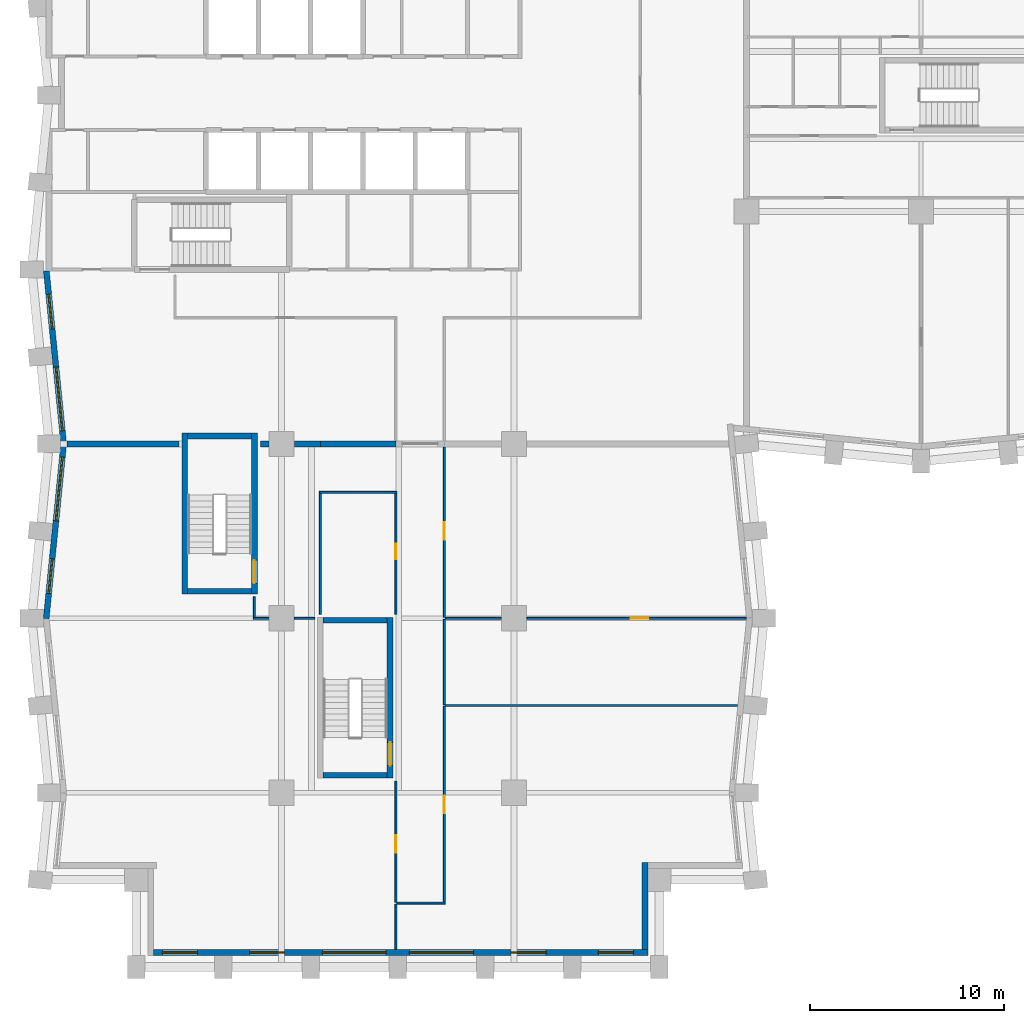
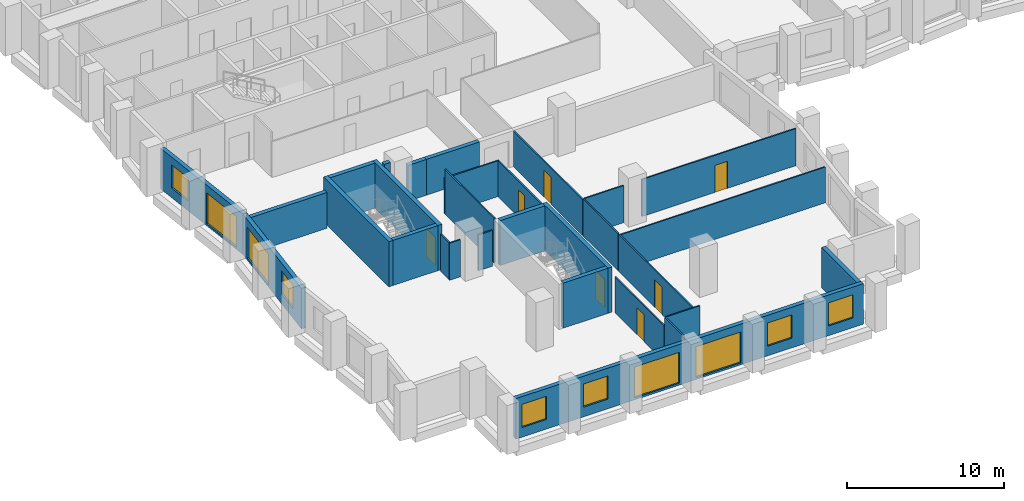
# One storey, part 3 of 11: 30 walls, 10 windows, 7 doors, 17 openings.
"""IFC4 building model written with IfcOpenShell, lengths in metres."""

from ifc_helpers import new_model, si_unit, direction, frame, frame_2d, origin, place, context, subcontext, project, spatial, rectangle, extrude, material, layer, layer_set, type_object, element, fill, save


model = new_model("IFC4")

# Units and contexts
model_context = context("Model", 3, precision=1e-05, world=origin(), true_north=direction((0.0, 1.0)))
body_context = subcontext(model_context, "Body", "Model", "MODEL_VIEW")
ifc_project = project(units=[si_unit("LENGTHUNIT", "METRE"), si_unit("AREAUNIT", "SQUARE_METRE"), si_unit("VOLUMEUNIT", "CUBIC_METRE"), si_unit("PLANEANGLEUNIT", "RADIAN"), si_unit("MASSUNIT", "GRAM", prefix="KILO")], contexts=[model_context])

# Site, building, storey
site_placement = place(None, origin())
site = spatial("IfcSite", under=ifc_project, at=site_placement, CompositionType="ELEMENT")
building_placement = place(site_placement, origin())
building = spatial("IfcBuilding", under=site, at=building_placement, Name="Brondeck Convention Tower", CompositionType="ELEMENT")
storey_placement = place(building_placement, frame((0.0, 0.0, 96.10009765625)))
storey = spatial("IfcBuildingStorey", under=building, at=storey_placement, Name="L22", CompositionType="ELEMENT", Elevation=96.10009765625)

# Walls
ifc_material_1 = material(Name="Concrete compartment wall C30/37", Category="concrete")
ifc_layer_1 = layer(ifc_material_1, 0.300048828125)
ifc_layer_set_1 = layer_set([ifc_layer_1], Name="Compartment wall 300")
wall_type_1 = type_object("IfcWallType", Name="Compartment wall 300", PredefinedType="PARTITIONING", material=ifc_layer_set_1)
wall_1_placement = place(storey_placement, frame((0.924560546875, 27.0, 0.0), z_axis=(0.0, 0.0, 1.0), x_axis=(1.0, 0.0, 0.0)))
element("IfcWall", 1, at=wall_1_placement, inside=storey, type_object=wall_type_1, Name="FLR-L22-W016", PredefinedType="PARTITIONING", context=body_context, shape_type="SweptSolid", body=[
    extrude(rectangle(XDim=5.775390625, YDim=0.300048828125, at=frame_2d((2.8876953125, 0.0))), origin(), (0.0, 0.0, 1.0), 2.77978515625),
])
wall_2_placement = place(storey_placement, frame((10.89990234375, 27.0, 0.0), z_axis=(0.0, 0.0, 1.0), x_axis=(1.0, 0.0, 0.0)))
element("IfcWall", 2, at=wall_2_placement, inside=storey, type_object=wall_type_1, Name="FLR-L22-W017", PredefinedType="PARTITIONING", context=body_context, shape_type="SweptSolid", body=[
    extrude(rectangle(XDim=0.445068359375, YDim=0.300048828125, at=frame_2d((0.22265625, 0.0))), origin(), (0.0, 0.0, 1.0), 3.47998046875),
])
wall_3_placement = place(storey_placement, frame((12.655029296875, 27.0, 0.0), z_axis=(0.0, 0.0, 1.0), x_axis=(1.0, 0.0, 0.0)))
element("IfcWall", 3, at=wall_3_placement, inside=storey, type_object=wall_type_1, Name="FLR-L22-W018", PredefinedType="PARTITIONING", context=body_context, shape_type="SweptSolid", body=[
    extrude(rectangle(XDim=1.344970703125, YDim=0.300048828125, at=frame_2d((0.67236328125, 0.0))), origin(), (0.0, 0.0, 1.0), 2.77978515625),
])
wall_4_placement = place(storey_placement, frame((14.0, 27.0, 0.0), z_axis=(0.0, 0.0, 1.0), x_axis=(1.0, 0.0, 0.0)))
element("IfcWall", 4, at=wall_4_placement, inside=storey, type_object=wall_type_1, Name="FLR-L22-W019", PredefinedType="PARTITIONING", context=body_context, shape_type="SweptSolid", body=[
    extrude(rectangle(XDim=3.89990234375, YDim=0.300048828125, at=frame_2d((1.949951171875, 0.0))), origin(), (0.0, 0.0, 1.0), 2.77978515625),
])

# Wall, openings, windows
ifc_material_2 = material(Name="Precast concrete C50/60 bronze finish", Category="concrete")
ifc_layer_2 = layer(ifc_material_2, 0.070068359375, Name="Bronze precast facing")
ifc_material_3 = material(Name="Mineral wool")
ifc_layer_3 = layer(ifc_material_3, 0.159912109375, Name="Insulation")
ifc_material_4 = material(Name="Concrete C35/45", Category="concrete")
ifc_layer_4 = layer(ifc_material_4, 0.070068359375, Name="Backing")
ifc_layer_set_2 = layer_set([ifc_layer_2, ifc_layer_3, ifc_layer_4], Name="External infill wall, precast concrete C50/60 bronze facing")
wall_type_2 = type_object("IfcWallType", Name="External infill wall, precast concrete C50/60 bronze facing", PredefinedType="SOLIDWALL", material=ifc_layer_set_2)
wall_5_placement = place(storey_placement, frame((30.89990234375, 0.75, 0.0), z_axis=(0.0, 0.0, 1.0), x_axis=(-1.0, 0.0, 0.0)))
wall_5 = element("IfcWall", 5, at=wall_5_placement, inside=storey, type_object=wall_type_2, Name="ENV-EW-L22-P0-B-S0-01", PredefinedType="SOLIDWALL", context=body_context, shape_type="SweptSolid", body=[
    extrude(rectangle(XDim=25.5, YDim=0.300048828125, at=frame_2d((12.75, 0.0))), origin(), (0.0, 0.0, 1.0), 3.14990234375),
])
opening_1_placement = place(wall_5_placement, frame((0.75, 0.0, 0.75)))
opening_1 = element("IfcOpeningElement", 6, at=opening_1_placement, cuts=wall_5, Name="Opening W10", PredefinedType="OPENING", context=body_context, shape_type="SweptSolid", body=[
    extrude(rectangle(XDim=1.800048828125, YDim=1.800048828125, at=frame_2d((0.89990234375, 0.89990234375))), frame((0.0, 0.159912109375, 0.0), z_axis=(0.0, -1.0, 0.0), x_axis=(1.0, 0.0, 0.0)), (0.0, 0.0, 1.0), 0.320068359375),
])
opening_2_placement = place(wall_5_placement, frame((5.25, 0.0, 0.75)))
opening_2 = element("IfcOpeningElement", 7, at=opening_2_placement, cuts=wall_5, Name="Opening W10", PredefinedType="OPENING", context=body_context, shape_type="SweptSolid", body=[
    extrude(rectangle(XDim=1.800048828125, YDim=1.800048828125, at=frame_2d((0.89990234375, 0.89990234375))), frame((0.0, 0.159912109375, 0.0), z_axis=(0.0, -1.0, 0.0), x_axis=(1.0, 0.0, 0.0)), (0.0, 0.0, 1.0), 0.320068359375),
])
opening_3_placement = place(wall_5_placement, frame((9.0, 0.0, 0.14990234375)))
opening_3 = element("IfcOpeningElement", 8, at=opening_3_placement, cuts=wall_5, Name="Opening W9", PredefinedType="OPENING", context=body_context, shape_type="SweptSolid", body=[
    extrude(rectangle(XDim=3.300048828125, YDim=2.39990234375, at=frame_2d((1.64990234375, 1.199951171875))), frame((0.0, 0.159912109375, 0.0), z_axis=(0.0, -1.0, 0.0), x_axis=(1.0, 0.0, 0.0)), (0.0, 0.0, 1.0), 0.320068359375),
])
opening_4_placement = place(wall_5_placement, frame((13.5, 0.0, 0.14990234375)))
opening_4 = element("IfcOpeningElement", 9, at=opening_4_placement, cuts=wall_5, Name="Opening W9", PredefinedType="OPENING", context=body_context, shape_type="SweptSolid", body=[
    extrude(rectangle(XDim=3.300048828125, YDim=2.39990234375, at=frame_2d((1.64990234375, 1.199951171875))), frame((0.0, 0.159912109375, 0.0), z_axis=(0.0, -1.0, 0.0), x_axis=(1.0, 0.0, 0.0)), (0.0, 0.0, 1.0), 0.320068359375),
])
opening_5_placement = place(wall_5_placement, frame((18.75, 0.0, 0.75)))
opening_5 = element("IfcOpeningElement", 10, at=opening_5_placement, cuts=wall_5, Name="Opening W10", PredefinedType="OPENING", context=body_context, shape_type="SweptSolid", body=[
    extrude(rectangle(XDim=1.800048828125, YDim=1.800048828125, at=frame_2d((0.89990234375, 0.89990234375))), frame((0.0, 0.159912109375, 0.0), z_axis=(0.0, -1.0, 0.0), x_axis=(1.0, 0.0, 0.0)), (0.0, 0.0, 1.0), 0.320068359375),
])
opening_6_placement = place(wall_5_placement, frame((23.25, 0.0, 0.75)))
opening_6 = element("IfcOpeningElement", 11, at=opening_6_placement, cuts=wall_5, Name="Opening W10", PredefinedType="OPENING", context=body_context, shape_type="SweptSolid", body=[
    extrude(rectangle(XDim=1.800048828125, YDim=1.800048828125, at=frame_2d((0.89990234375, 0.89990234375))), frame((0.0, 0.159912109375, 0.0), z_axis=(0.0, -1.0, 0.0), x_axis=(1.0, 0.0, 0.0)), (0.0, 0.0, 1.0), 0.320068359375),
])
ifc_material_5 = material(Name="Bronze tinted double glazing", Category="glass")
window_type_1 = type_object("IfcWindowType", Name="Glazed flute window, bronze tinted", PartitioningType="SINGLE_PANEL", PredefinedType="WINDOW", material=ifc_material_5)
window_1_placement = place(opening_3_placement, origin())
window_1 = element("IfcWindow", 12, at=window_1_placement, inside=storey, type_object=window_type_1, Name="ENV-WN-L22-P0-B-S0-04", OverallHeight=2.39990234375, OverallWidth=3.300048828125, PartitioningType="SINGLE_PANEL", PredefinedType="WINDOW", context=body_context, shape_type="SweptSolid", body=[
    extrude(rectangle(XDim=3.300048828125, YDim=2.39990234375, at=frame_2d((1.64990234375, 1.199951171875))), frame((0.0, 0.030029296875, 0.0), z_axis=(0.0, -1.0, 0.0), x_axis=(1.0, 0.0, 0.0)), (0.0, 0.0, 1.0), 0.06005859375),
])
fill(opening_3, window_1)
window_2_placement = place(opening_4_placement, origin())
window_2 = element("IfcWindow", 13, at=window_2_placement, inside=storey, type_object=window_type_1, Name="ENV-WN-L22-P0-B-S0-03", OverallHeight=2.39990234375, OverallWidth=3.300048828125, PartitioningType="SINGLE_PANEL", PredefinedType="WINDOW", context=body_context, shape_type="SweptSolid", body=[
    extrude(rectangle(XDim=3.300048828125, YDim=2.39990234375, at=frame_2d((1.64990234375, 1.199951171875))), frame((0.0, 0.030029296875, 0.0), z_axis=(0.0, -1.0, 0.0), x_axis=(1.0, 0.0, 0.0)), (0.0, 0.0, 1.0), 0.06005859375),
])
fill(opening_4, window_2)
window_type_2 = type_object("IfcWindowType", Name="Punched window, bronze tinted", PartitioningType="SINGLE_PANEL", PredefinedType="WINDOW", material=ifc_material_5)
window_3_placement = place(opening_1_placement, origin())
window_3 = element("IfcWindow", 14, at=window_3_placement, inside=storey, type_object=window_type_2, Name="ENV-WN-L22-P0-B-S0-06", OverallHeight=1.800048828125, OverallWidth=1.800048828125, PartitioningType="SINGLE_PANEL", PredefinedType="WINDOW", context=body_context, shape_type="SweptSolid", body=[
    extrude(rectangle(XDim=1.800048828125, YDim=1.800048828125, at=frame_2d((0.89990234375, 0.89990234375))), frame((0.0, 0.030029296875, 0.0), z_axis=(0.0, -1.0, 0.0), x_axis=(1.0, 0.0, 0.0)), (0.0, 0.0, 1.0), 0.06005859375),
])
fill(opening_1, window_3)
window_4_placement = place(opening_2_placement, origin())
window_4 = element("IfcWindow", 15, at=window_4_placement, inside=storey, type_object=window_type_2, Name="ENV-WN-L22-P0-B-S0-05", OverallHeight=1.800048828125, OverallWidth=1.800048828125, PartitioningType="SINGLE_PANEL", PredefinedType="WINDOW", context=body_context, shape_type="SweptSolid", body=[
    extrude(rectangle(XDim=1.800048828125, YDim=1.800048828125, at=frame_2d((0.89990234375, 0.89990234375))), frame((0.0, 0.030029296875, 0.0), z_axis=(0.0, -1.0, 0.0), x_axis=(1.0, 0.0, 0.0)), (0.0, 0.0, 1.0), 0.06005859375),
])
fill(opening_2, window_4)
window_5_placement = place(opening_5_placement, origin())
window_5 = element("IfcWindow", 16, at=window_5_placement, inside=storey, type_object=window_type_2, Name="ENV-WN-L22-P0-B-S0-02", OverallHeight=1.800048828125, OverallWidth=1.800048828125, PartitioningType="SINGLE_PANEL", PredefinedType="WINDOW", context=body_context, shape_type="SweptSolid", body=[
    extrude(rectangle(XDim=1.800048828125, YDim=1.800048828125, at=frame_2d((0.89990234375, 0.89990234375))), frame((0.0, 0.030029296875, 0.0), z_axis=(0.0, -1.0, 0.0), x_axis=(1.0, 0.0, 0.0)), (0.0, 0.0, 1.0), 0.06005859375),
])
fill(opening_5, window_5)
window_6_placement = place(opening_6_placement, origin())
window_6 = element("IfcWindow", 17, at=window_6_placement, inside=storey, type_object=window_type_2, Name="ENV-WN-L22-P0-B-S0-01", OverallHeight=1.800048828125, OverallWidth=1.800048828125, PartitioningType="SINGLE_PANEL", PredefinedType="WINDOW", context=body_context, shape_type="SweptSolid", body=[
    extrude(rectangle(XDim=1.800048828125, YDim=1.800048828125, at=frame_2d((0.89990234375, 0.89990234375))), frame((0.0, 0.030029296875, 0.0), z_axis=(0.0, -1.0, 0.0), x_axis=(1.0, 0.0, 0.0)), (0.0, 0.0, 1.0), 0.06005859375),
])
fill(opening_6, window_6)

# Wall
wall_6_placement = place(storey_placement, frame((30.75, 5.39990234375, 0.0), z_axis=(0.0, 0.0, 1.0), x_axis=(0.0, -1.0, 0.0)))
element("IfcWall", 18, at=wall_6_placement, inside=storey, type_object=wall_type_2, Name="ENV-EW-L22-P0-NC-SEB0-01", PredefinedType="SOLIDWALL", context=body_context, shape_type="SweptSolid", body=[
    extrude(rectangle(XDim=4.501953125, YDim=0.300048828125, at=frame_2d((2.2509765625, 0.0))), origin(), (0.0, 0.0, 1.0), 3.14990234375),
])

# Wall, openings, windows
wall_7_placement = place(storey_placement, frame((0.755126953125, 26.985107421875, 0.0), z_axis=(0.0, 0.0, 1.0), x_axis=(-0.099479505633, 0.995039611251, 0.0)))
wall_7 = element("IfcWall", 19, at=wall_7_placement, inside=storey, type_object=wall_type_2, Name="ENV-EW-L22-P0-B-W-06", PredefinedType="SOLIDWALL", context=body_context, shape_type="SweptSolid", body=[
    extrude(rectangle(XDim=8.98486328125, YDim=0.300048828125, at=frame_2d((4.492431640625, 0.0))), origin(), (0.0, 0.0, 1.0), 3.14990234375),
])
opening_7_placement = place(wall_7_placement, frame((0.701171875, 0.0, 0.14990234375)))
opening_7 = element("IfcOpeningElement", 20, at=opening_7_placement, cuts=wall_7, Name="Opening W9", PredefinedType="OPENING", context=body_context, shape_type="SweptSolid", body=[
    extrude(rectangle(XDim=3.300048828125, YDim=2.39990234375, at=frame_2d((1.64990234375, 1.199951171875))), frame((0.0, 0.159912109375, 0.0), z_axis=(0.0, -1.0, 0.0), x_axis=(1.0, 0.0, 0.0)), (0.0, 0.0, 1.0), 0.320068359375),
])
opening_8_placement = place(wall_7_placement, frame((5.9736328125, 0.0, 0.75)))
opening_8 = element("IfcOpeningElement", 21, at=opening_8_placement, cuts=wall_7, Name="Opening W10", PredefinedType="OPENING", context=body_context, shape_type="SweptSolid", body=[
    extrude(rectangle(XDim=1.800048828125, YDim=1.800048828125, at=frame_2d((0.89990234375, 0.89990234375))), frame((0.0, 0.159912109375, 0.0), z_axis=(0.0, -1.0, 0.0), x_axis=(1.0, 0.0, 0.0)), (0.0, 0.0, 1.0), 0.320068359375),
])
window_7_placement = place(opening_7_placement, origin())
window_7 = element("IfcWindow", 22, at=window_7_placement, inside=storey, type_object=window_type_1, Name="ENV-WN-L22-P0-B-W-07", OverallHeight=2.39990234375, OverallWidth=3.300048828125, PartitioningType="SINGLE_PANEL", PredefinedType="WINDOW", context=body_context, shape_type="SweptSolid", body=[
    extrude(rectangle(XDim=3.300048828125, YDim=2.39990234375, at=frame_2d((1.64990234375, 1.199951171875))), frame((0.0, 0.030029296875, 0.0), z_axis=(0.0, -1.0, 0.0), x_axis=(1.0, 0.0, 0.0)), (0.0, 0.0, 1.0), 0.06005859375),
])
fill(opening_7, window_7)
window_8_placement = place(opening_8_placement, origin())
window_8 = element("IfcWindow", 23, at=window_8_placement, inside=storey, type_object=window_type_2, Name="ENV-WN-L22-P0-B-W-06", OverallHeight=1.800048828125, OverallWidth=1.800048828125, PartitioningType="SINGLE_PANEL", PredefinedType="WINDOW", context=body_context, shape_type="SweptSolid", body=[
    extrude(rectangle(XDim=1.800048828125, YDim=1.800048828125, at=frame_2d((0.89990234375, 0.89990234375))), frame((0.0, 0.030029296875, 0.0), z_axis=(0.0, -1.0, 0.0), x_axis=(1.0, 0.0, 0.0)), (0.0, 0.0, 1.0), 0.06005859375),
])
fill(opening_8, window_8)

wall_8_placement = place(storey_placement, frame((-0.147705078125, 17.985107421875, 0.0), z_axis=(0.0, 0.0, 1.0), x_axis=(0.099495688264, 0.995037993253, 0.0)))
wall_8 = element("IfcWall", 24, at=wall_8_placement, inside=storey, type_object=wall_type_2, Name="ENV-EW-L22-P0-B-W-08", PredefinedType="SOLIDWALL", context=body_context, shape_type="SweptSolid", body=[
    extrude(rectangle(XDim=9.030029296875, YDim=0.300048828125, at=frame_2d((4.51513671875, 0.0))), origin(), (0.0, 0.0, 1.0), 3.14990234375),
])
opening_9_placement = place(wall_8_placement, frame((1.30126953125, 0.0, 0.75)))
opening_9 = element("IfcOpeningElement", 25, at=opening_9_placement, cuts=wall_8, Name="Opening W10", PredefinedType="OPENING", context=body_context, shape_type="SweptSolid", body=[
    extrude(rectangle(XDim=1.800048828125, YDim=1.800048828125, at=frame_2d((0.89990234375, 0.89990234375))), frame((0.0, 0.159912109375, 0.0), z_axis=(0.0, -1.0, 0.0), x_axis=(1.0, 0.0, 0.0)), (0.0, 0.0, 1.0), 0.320068359375),
])
opening_10_placement = place(wall_8_placement, frame((5.073486328125, 0.0, 0.14990234375)))
opening_10 = element("IfcOpeningElement", 26, at=opening_10_placement, cuts=wall_8, Name="Opening W9", PredefinedType="OPENING", context=body_context, shape_type="SweptSolid", body=[
    extrude(rectangle(XDim=3.300048828125, YDim=2.39990234375, at=frame_2d((1.64990234375, 1.199951171875))), frame((0.0, 0.159912109375, 0.0), z_axis=(0.0, -1.0, 0.0), x_axis=(1.0, 0.0, 0.0)), (0.0, 0.0, 1.0), 0.320068359375),
])
window_9_placement = place(opening_10_placement, origin())
window_9 = element("IfcWindow", 27, at=window_9_placement, inside=storey, type_object=window_type_1, Name="ENV-WN-L22-P0-B-W-08", OverallHeight=2.39990234375, OverallWidth=3.300048828125, PartitioningType="SINGLE_PANEL", PredefinedType="WINDOW", context=body_context, shape_type="SweptSolid", body=[
    extrude(rectangle(XDim=3.300048828125, YDim=2.39990234375, at=frame_2d((1.64990234375, 1.199951171875))), frame((0.0, 0.030029296875, 0.0), z_axis=(0.0, -1.0, 0.0), x_axis=(1.0, 0.0, 0.0)), (0.0, 0.0, 1.0), 0.06005859375),
])
fill(opening_10, window_9)
window_10_placement = place(opening_9_placement, origin())
window_10 = element("IfcWindow", 28, at=window_10_placement, inside=storey, type_object=window_type_2, Name="ENV-WN-L22-P0-B-W-09", OverallHeight=1.800048828125, OverallWidth=1.800048828125, PartitioningType="SINGLE_PANEL", PredefinedType="WINDOW", context=body_context, shape_type="SweptSolid", body=[
    extrude(rectangle(XDim=1.800048828125, YDim=1.800048828125, at=frame_2d((0.89990234375, 0.89990234375))), frame((0.0, 0.030029296875, 0.0), z_axis=(0.0, -1.0, 0.0), x_axis=(1.0, 0.0, 0.0)), (0.0, 0.0, 1.0), 0.06005859375),
])
fill(opening_9, window_10)

# Walls
ifc_material_6 = material(Name="Gypsum board partition on steel studs", Category="steel")
ifc_layer_5 = layer(ifc_material_6, 0.10009765625)
ifc_layer_set_3 = layer_set([ifc_layer_5], Name="Room partition 100")
wall_type_3 = type_object("IfcWallType", Name="Room partition 100", PredefinedType="PARTITIONING", material=ifc_layer_set_3)
wall_9_placement = place(storey_placement, frame((17.89990234375, 0.919921875, 0.0), z_axis=(0.0, 0.0, 1.0), x_axis=(0.0, 1.0, 0.0)))
element("IfcWall", 29, at=wall_9_placement, inside=storey, type_object=wall_type_3, Name="FLR-L22-W001", PredefinedType="PARTITIONING", context=body_context, shape_type="SweptSolid", body=[
    extrude(rectangle(XDim=2.330078125, YDim=0.10009765625, at=frame_2d((1.1650390625, 0.0))), origin(), (0.0, 0.0, 1.0), 3.47998046875),
])
wall_10_placement = place(storey_placement, frame((20.449951171875, 3.300048828125, 0.0), z_axis=(0.0, 0.0, 1.0), x_axis=(-1.0, 0.0, 0.0)))
element("IfcWall", 30, at=wall_10_placement, inside=storey, type_object=wall_type_3, Name="FLR-L22-W002", PredefinedType="PARTITIONING", context=body_context, shape_type="SweptSolid", body=[
    extrude(rectangle(XDim=2.5, YDim=0.10009765625, at=frame_2d((1.25, 0.0))), origin(), (0.0, 0.0, 1.0), 3.47998046875),
])

# Wall, opening, door
wall_11_placement = place(storey_placement, frame((17.89990234375, 3.35009765625, 0.0), z_axis=(0.0, 0.0, 1.0), x_axis=(0.0, 1.0, 0.0)))
wall_11 = element("IfcWall", 31, at=wall_11_placement, inside=storey, type_object=wall_type_3, Name="FLR-L22-W003", PredefinedType="PARTITIONING", context=body_context, shape_type="SweptSolid", body=[
    extrude(rectangle(XDim=6.25, YDim=0.10009765625, at=frame_2d((3.125, 0.0))), origin(), (0.0, 0.0, 1.0), 2.77978515625),
])
opening_11_placement = place(wall_11_placement, frame((2.550048828125, 0.0, 0.0)))
opening_11 = element("IfcOpeningElement", 32, at=opening_11_placement, cuts=wall_11, Name="Opening OF-A-021", PredefinedType="OPENING", context=body_context, shape_type="SweptSolid", body=[
    extrude(rectangle(XDim=0.89990234375, YDim=2.10009765625, at=frame_2d((0.449951171875, 1.050048828125))), frame((0.0, 0.06005859375, 0.0), z_axis=(0.0, -1.0, 0.0), x_axis=(1.0, 0.0, 0.0)), (0.0, 0.0, 1.0), 0.1201171875),
])
ifc_material_7 = material(Name="Solid timber door leaf", Category="wood")
door_type_1 = type_object("IfcDoorType", Name="Single door 900", OperationType="NOTDEFINED", PredefinedType="DOOR", material=ifc_material_7)
door_1_placement = place(opening_11_placement, origin())
door_1 = element("IfcDoor", 33, at=door_1_placement, inside=storey, type_object=door_type_1, Name="Door OF-A-021", OperationType="SINGLE_SWING_LEFT", OverallHeight=2.10009765625, OverallWidth=0.89990234375, PredefinedType="DOOR", context=body_context, shape_type="SweptSolid", body=[
    extrude(rectangle(XDim=0.89990234375, YDim=2.10009765625, at=frame_2d((0.449951171875, 1.050048828125))), frame((0.0, 0.02490234375, 0.0), z_axis=(0.0, -1.0, 0.0), x_axis=(1.0, 0.0, 0.0)), (0.0, 0.0, 1.0), 0.050048828125),
])
fill(opening_11, door_1)

wall_12_placement = place(storey_placement, frame((20.39990234375, 13.449951171875, 0.0), z_axis=(0.0, 0.0, 1.0), x_axis=(0.0, -1.0, 0.0)))
wall_12 = element("IfcWall", 34, at=wall_12_placement, inside=storey, type_object=wall_type_3, Name="FLR-L22-W004", PredefinedType="PARTITIONING", context=body_context, shape_type="SweptSolid", body=[
    extrude(rectangle(XDim=10.099853515625, YDim=0.10009765625, at=frame_2d((5.0498046875, 0.0))), origin(), (0.0, 0.0, 1.0), 2.8798828125),
])
opening_12_placement = place(wall_12_placement, frame((4.60009765625, 0.0, 0.0)))
opening_12 = element("IfcOpeningElement", 35, at=opening_12_placement, cuts=wall_12, Name="Opening OF-A-020", PredefinedType="OPENING", context=body_context, shape_type="SweptSolid", body=[
    extrude(rectangle(XDim=0.89990234375, YDim=2.10009765625, at=frame_2d((0.449951171875, 1.050048828125))), frame((0.0, 0.06005859375, 0.0), z_axis=(0.0, -1.0, 0.0), x_axis=(1.0, 0.0, 0.0)), (0.0, 0.0, 1.0), 0.1201171875),
])
door_2_placement = place(opening_12_placement, origin())
door_2 = element("IfcDoor", 36, at=door_2_placement, inside=storey, type_object=door_type_1, Name="Door OF-A-020", OperationType="SINGLE_SWING_LEFT", OverallHeight=2.10009765625, OverallWidth=0.89990234375, PredefinedType="DOOR", context=body_context, shape_type="SweptSolid", body=[
    extrude(rectangle(XDim=0.89990234375, YDim=2.10009765625, at=frame_2d((0.449951171875, 1.050048828125))), frame((0.0, 0.02490234375, 0.0), z_axis=(0.0, -1.0, 0.0), x_axis=(1.0, 0.0, 0.0)), (0.0, 0.0, 1.0), 0.050048828125),
])
fill(opening_12, door_2)

# Walls
wall_13_placement = place(storey_placement, frame((35.525390625, 13.5, 0.0), z_axis=(0.0, 0.0, 1.0), x_axis=(-1.0, 0.0, 0.0)))
element("IfcWall", 37, at=wall_13_placement, inside=storey, type_object=wall_type_3, Name="FLR-L22-W005", PredefinedType="PARTITIONING", context=body_context, shape_type="SweptSolid", body=[
    extrude(rectangle(XDim=15.075439453125, YDim=0.10009765625, at=frame_2d((7.53759765625, 0.0))), origin(), (0.0, 0.0, 1.0), 2.77978515625),
])
wall_14_placement = place(storey_placement, frame((20.39990234375, 17.949951171875, 0.0), z_axis=(0.0, 0.0, 1.0), x_axis=(0.0, -1.0, 0.0)))
element("IfcWall", 38, at=wall_14_placement, inside=storey, type_object=wall_type_3, Name="FLR-L22-W006", PredefinedType="PARTITIONING", context=body_context, shape_type="SweptSolid", body=[
    extrude(rectangle(XDim=4.39990234375, YDim=0.10009765625, at=frame_2d((2.199951171875, 0.0))), origin(), (0.0, 0.0, 1.0), 2.8798828125),
])
wall_15_placement = place(storey_placement, frame((11.344970703125, 18.0, 0.0), z_axis=(0.0, 0.0, 1.0), x_axis=(-1.0, 0.0, 0.0)))
element("IfcWall", 39, at=wall_15_placement, inside=storey, type_object=wall_type_3, Name="FLR-L22-W007", PredefinedType="PARTITIONING", context=body_context, shape_type="SweptSolid", body=[
    extrude(rectangle(XDim=0.794921875, YDim=0.10009765625, at=frame_2d((0.3974609375, 0.0))), origin(), (0.0, 0.0, 1.0), 2.8798828125),
])
wall_16_placement = place(storey_placement, frame((13.699951171875, 18.0, 0.0), z_axis=(0.0, 0.0, 1.0), x_axis=(-1.0, 0.0, 0.0)))
element("IfcWall", 40, at=wall_16_placement, inside=storey, type_object=wall_type_3, Name="FLR-L22-W008", PredefinedType="PARTITIONING", context=body_context, shape_type="SweptSolid", body=[
    extrude(rectangle(XDim=1.044921875, YDim=0.10009765625, at=frame_2d((0.5224609375, 0.0))), origin(), (0.0, 0.0, 1.0), 2.77978515625),
])
wall_17_placement = place(storey_placement, frame((23.344970703125, 18.0, 0.0), z_axis=(0.0, 0.0, 1.0), x_axis=(-1.0, 0.0, 0.0)))
element("IfcWall", 41, at=wall_17_placement, inside=storey, type_object=wall_type_3, Name="FLR-L22-W009", PredefinedType="PARTITIONING", context=body_context, shape_type="SweptSolid", body=[
    extrude(rectangle(XDim=2.89501953125, YDim=0.10009765625, at=frame_2d((1.447509765625, 0.0))), origin(), (0.0, 0.0, 1.0), 2.8798828125),
])

# Wall, opening, door
wall_18_placement = place(storey_placement, frame((35.9755859375, 18.0, 0.0), z_axis=(0.0, 0.0, 1.0), x_axis=(-1.0, 0.0, 0.0)))
wall_18 = element("IfcWall", 42, at=wall_18_placement, inside=storey, type_object=wall_type_3, Name="FLR-L22-W010", PredefinedType="PARTITIONING", context=body_context, shape_type="SweptSolid", body=[
    extrude(rectangle(XDim=11.320556640625, YDim=0.10009765625, at=frame_2d((5.66015625, 0.0))), origin(), (0.0, 0.0, 1.0), 2.8798828125),
])
opening_13_placement = place(wall_18_placement, frame((5.050537109375, 0.0, 0.0)))
opening_13 = element("IfcOpeningElement", 43, at=opening_13_placement, cuts=wall_18, Name="Opening OF-A-019", PredefinedType="OPENING", context=body_context, shape_type="SweptSolid", body=[
    extrude(rectangle(XDim=0.89990234375, YDim=2.10009765625, at=frame_2d((0.449951171875, 1.050048828125))), frame((0.0, 0.06005859375, 0.0), z_axis=(0.0, -1.0, 0.0), x_axis=(1.0, 0.0, 0.0)), (0.0, 0.0, 1.0), 0.1201171875),
])
door_3_placement = place(opening_13_placement, origin())
door_3 = element("IfcDoor", 44, at=door_3_placement, inside=storey, type_object=door_type_1, Name="Door OF-A-019", OperationType="SINGLE_SWING_LEFT", OverallHeight=2.10009765625, OverallWidth=0.89990234375, PredefinedType="DOOR", context=body_context, shape_type="SweptSolid", body=[
    extrude(rectangle(XDim=0.89990234375, YDim=2.10009765625, at=frame_2d((0.449951171875, 1.050048828125))), frame((0.0, 0.02490234375, 0.0), z_axis=(0.0, -1.0, 0.0), x_axis=(1.0, 0.0, 0.0)), (0.0, 0.0, 1.0), 0.050048828125),
])
fill(opening_13, door_3)

# Wall
wall_19_placement = place(storey_placement, frame((10.60009765625, 18.050048828125, 0.0), z_axis=(0.0, 0.0, 1.0), x_axis=(0.0, 1.0, 0.0)))
element("IfcWall", 45, at=wall_19_placement, inside=storey, type_object=wall_type_3, Name="FLR-L22-W011", PredefinedType="PARTITIONING", context=body_context, shape_type="SweptSolid", body=[
    extrude(rectangle(XDim=1.050048828125, YDim=0.10009765625, at=frame_2d((0.52490234375, 0.0))), origin(), (0.0, 0.0, 1.0), 2.8798828125),
])

# Wall, opening, door
wall_20_placement = place(storey_placement, frame((17.89990234375, 18.199951171875, 0.0), z_axis=(0.0, 0.0, 1.0), x_axis=(0.0, 1.0, 0.0)))
wall_20 = element("IfcWall", 46, at=wall_20_placement, inside=storey, type_object=wall_type_3, Name="FLR-L22-W012", PredefinedType="PARTITIONING", context=body_context, shape_type="SweptSolid", body=[
    extrude(rectangle(XDim=6.25, YDim=0.10009765625, at=frame_2d((3.125, 0.0))), origin(), (0.0, 0.0, 1.0), 2.77978515625),
])
opening_14_placement = place(wall_20_placement, frame((2.85009765625, 0.0, 0.0)))
opening_14 = element("IfcOpeningElement", 47, at=opening_14_placement, cuts=wall_20, Name="Opening OF-A-001", PredefinedType="OPENING", context=body_context, shape_type="SweptSolid", body=[
    extrude(rectangle(XDim=0.800048828125, YDim=2.10009765625, at=frame_2d((0.39990234375, 1.050048828125))), frame((0.0, 0.06005859375, 0.0), z_axis=(0.0, -1.0, 0.0), x_axis=(1.0, 0.0, 0.0)), (0.0, 0.0, 1.0), 0.1201171875),
])
ifc_material_8 = material(Name="Steel service door leaf", Category="steel")
door_type_2 = type_object("IfcDoorType", Name="Service door 800", OperationType="NOTDEFINED", PredefinedType="DOOR", material=ifc_material_8)
door_4_placement = place(opening_14_placement, origin())
door_4 = element("IfcDoor", 48, at=door_4_placement, inside=storey, type_object=door_type_2, Name="Door OF-A-001", OperationType="SINGLE_SWING_LEFT", OverallHeight=2.10009765625, OverallWidth=0.800048828125, PredefinedType="DOOR", context=body_context, shape_type="SweptSolid", body=[
    extrude(rectangle(XDim=0.800048828125, YDim=2.10009765625, at=frame_2d((0.39990234375, 1.050048828125))), frame((0.0, 0.02490234375, 0.0), z_axis=(0.0, -1.0, 0.0), x_axis=(1.0, 0.0, 0.0)), (0.0, 0.0, 1.0), 0.050048828125),
])
fill(opening_14, door_4)

# Walls
wall_21_placement = place(storey_placement, frame((14.0, 24.449951171875, 0.0), z_axis=(0.0, 0.0, 1.0), x_axis=(0.0, -1.0, 0.0)))
element("IfcWall", 49, at=wall_21_placement, inside=storey, type_object=wall_type_3, Name="FLR-L22-W013", PredefinedType="PARTITIONING", context=body_context, shape_type="SweptSolid", body=[
    extrude(rectangle(XDim=6.25, YDim=0.10009765625, at=frame_2d((3.125, 0.0))), origin(), (0.0, 0.0, 1.0), 3.47998046875),
])
wall_22_placement = place(storey_placement, frame((17.949951171875, 24.5, 0.0), z_axis=(0.0, 0.0, 1.0), x_axis=(-1.0, 0.0, 0.0)))
element("IfcWall", 50, at=wall_22_placement, inside=storey, type_object=wall_type_3, Name="FLR-L22-W014", PredefinedType="PARTITIONING", context=body_context, shape_type="SweptSolid", body=[
    extrude(rectangle(XDim=4.0, YDim=0.10009765625, at=frame_2d((2.0, 0.0))), origin(), (0.0, 0.0, 1.0), 2.77978515625),
])

# Wall, opening, door
wall_23_placement = place(storey_placement, frame((20.39990234375, 26.830078125, 0.0), z_axis=(0.0, 0.0, 1.0), x_axis=(0.0, -1.0, 0.0)))
wall_23 = element("IfcWall", 51, at=wall_23_placement, inside=storey, type_object=wall_type_3, Name="FLR-L22-W015", PredefinedType="PARTITIONING", context=body_context, shape_type="SweptSolid", body=[
    extrude(rectangle(XDim=8.780029296875, YDim=0.10009765625, at=frame_2d((4.39013671875, 0.0))), origin(), (0.0, 0.0, 1.0), 2.77978515625),
])
opening_15_placement = place(wall_23_placement, frame((3.8798828125, 0.0, 0.0)))
opening_15 = element("IfcOpeningElement", 52, at=opening_15_placement, cuts=wall_23, Name="Opening OF-A-018", PredefinedType="OPENING", context=body_context, shape_type="SweptSolid", body=[
    extrude(rectangle(XDim=0.89990234375, YDim=2.10009765625, at=frame_2d((0.449951171875, 1.050048828125))), frame((0.0, 0.06005859375, 0.0), z_axis=(0.0, -1.0, 0.0), x_axis=(1.0, 0.0, 0.0)), (0.0, 0.0, 1.0), 0.1201171875),
])
door_5_placement = place(opening_15_placement, origin())
door_5 = element("IfcDoor", 53, at=door_5_placement, inside=storey, type_object=door_type_1, Name="Door OF-A-018", OperationType="SINGLE_SWING_LEFT", OverallHeight=2.10009765625, OverallWidth=0.89990234375, PredefinedType="DOOR", context=body_context, shape_type="SweptSolid", body=[
    extrude(rectangle(XDim=0.89990234375, YDim=2.10009765625, at=frame_2d((0.449951171875, 1.050048828125))), frame((0.0, 0.02490234375, 0.0), z_axis=(0.0, -1.0, 0.0), x_axis=(1.0, 0.0, 0.0)), (0.0, 0.0, 1.0), 0.050048828125),
])
fill(opening_15, door_5)

# Walls
ifc_material_9 = material(Name="Concrete C70/85", Category="concrete")
ifc_layer_6 = layer(ifc_material_9, 0.300048828125)
ifc_layer_set_4 = layer_set([ifc_layer_6], Name="Stair enclosure wall 300 Concrete C70/85")
wall_type_4 = type_object("IfcWallType", Name="Stair enclosure wall 300 Concrete C70/85", PredefinedType="SHEAR", material=ifc_layer_set_4)
for number, where, z_axis, x_axis, name in (
    (54, (14.14990234375, 9.89990234375, 0.0), (0.0, 0.0, 1.0), (1.0, 0.0, 0.0), "L22 core wall"),
    (55, (14.14990234375, 17.89990234375, 0.0), (0.0, 0.0, 1.0), (1.0, 0.0, 0.0), "L22 core wall"),
    (56, (7.14990234375, 19.39990234375, 0.0), (0.0, 0.0, 1.0), (1.0, 0.0, 0.0), "L22 core wall"),
    (57, (7.14990234375, 27.39990234375, 0.0), (0.0, 0.0, 1.0), (1.0, 0.0, 0.0), "L22 core wall"),
):
    element("IfcWall", number, at=place(storey_placement, frame(where, z_axis=z_axis, x_axis=x_axis)), inside=storey, type_object=wall_type_4, Name=name, PredefinedType="SHEAR", context=body_context, shape_type="SweptSolid", body=[
        extrude(rectangle(XDim=3.300048828125, YDim=0.300048828125, at=frame_2d((1.64990234375, 0.0))), origin(), (0.0, 0.0, 1.0), 3.5),
    ])
wall_24_placement = place(storey_placement, frame((7.0, 19.25, 0.0), z_axis=(0.0, 0.0, 1.0), x_axis=(0.0, 1.0, 0.0)))
element("IfcWall", 58, at=wall_24_placement, inside=storey, type_object=wall_type_4, Name="L22 core wall", PredefinedType="SHEAR", context=body_context, shape_type="SweptSolid", body=[
    extrude(rectangle(XDim=8.300048828125, YDim=0.300048828125, at=frame_2d((4.14990234375, 0.0))), origin(), (0.0, 0.0, 1.0), 3.5),
])

# Wall, opening, door
wall_25_placement = place(storey_placement, frame((10.60009765625, 19.25, 0.0), z_axis=(0.0, 0.0, 1.0), x_axis=(0.0, 1.0, 0.0)))
wall_25 = element("IfcWall", 59, at=wall_25_placement, inside=storey, type_object=wall_type_4, Name="L22 core wall", PredefinedType="SHEAR", context=body_context, shape_type="SweptSolid", body=[
    extrude(rectangle(XDim=8.300048828125, YDim=0.300048828125, at=frame_2d((4.14990234375, 0.0))), origin(), (0.0, 0.0, 1.0), 3.5),
])
opening_16_placement = place(wall_25_placement, frame((0.550048828125, 0.0, 0.0)))
opening_16 = element("IfcOpeningElement", 60, at=opening_16_placement, cuts=wall_25, Name="Opening C14-22", PredefinedType="OPENING", context=body_context, shape_type="SweptSolid", body=[
    extrude(rectangle(XDim=1.199951171875, YDim=2.199951171875, at=frame_2d((0.60009765625, 1.10009765625))), frame((0.0, 0.159912109375, 0.0), z_axis=(0.0, -1.0, 0.0), x_axis=(1.0, 0.0, 0.0)), (0.0, 0.0, 1.0), 0.320068359375),
])
ifc_material_10 = material(Name="Steel fire door", Category="steel")
door_type_3 = type_object("IfcDoorType", Name="Stair door 1200x2200 EI 90", OperationType="NOTDEFINED", PredefinedType="DOOR", material=ifc_material_10)
door_6_placement = place(opening_16_placement, origin())
door_6 = element("IfcDoor", 61, at=door_6_placement, inside=storey, type_object=door_type_3, Name="L22 Stair door ST-BE", OperationType="SINGLE_SWING_RIGHT", OverallHeight=2.199951171875, OverallWidth=1.199951171875, PredefinedType="DOOR", context=body_context, shape_type="SweptSolid", body=[
    extrude(rectangle(XDim=1.199951171875, YDim=2.199951171875, at=frame_2d((0.60009765625, 1.10009765625))), frame((0.0, 0.02490234375, 0.0), z_axis=(0.0, -1.0, 0.0), x_axis=(1.0, 0.0, 0.0)), (0.0, 0.0, 1.0), 0.050048828125),
])
fill(opening_16, door_6)

wall_26_placement = place(storey_placement, frame((17.60009765625, 9.75, 0.0), z_axis=(0.0, 0.0, 1.0), x_axis=(0.0, 1.0, 0.0)))
wall_26 = element("IfcWall", 62, at=wall_26_placement, inside=storey, type_object=wall_type_4, Name="L22 core wall", PredefinedType="SHEAR", context=body_context, shape_type="SweptSolid", body=[
    extrude(rectangle(XDim=8.300048828125, YDim=0.300048828125, at=frame_2d((4.14990234375, 0.0))), origin(), (0.0, 0.0, 1.0), 3.5),
])
opening_17_placement = place(wall_26_placement, frame((0.64990234375, 0.0, 0.0)))
opening_17 = element("IfcOpeningElement", 63, at=opening_17_placement, cuts=wall_26, Name="Opening C14-23", PredefinedType="OPENING", context=body_context, shape_type="SweptSolid", body=[
    extrude(rectangle(XDim=1.199951171875, YDim=2.199951171875, at=frame_2d((0.60009765625, 1.10009765625))), frame((0.0, 0.159912109375, 0.0), z_axis=(0.0, -1.0, 0.0), x_axis=(1.0, 0.0, 0.0)), (0.0, 0.0, 1.0), 0.320068359375),
])
door_7_placement = place(opening_17_placement, origin())
door_7 = element("IfcDoor", 64, at=door_7_placement, inside=storey, type_object=door_type_3, Name="L22 Stair door ST-BF", OperationType="SINGLE_SWING_LEFT", OverallHeight=2.199951171875, OverallWidth=1.199951171875, PredefinedType="DOOR", context=body_context, shape_type="SweptSolid", body=[
    extrude(rectangle(XDim=1.199951171875, YDim=2.199951171875, at=frame_2d((0.60009765625, 1.10009765625))), frame((0.0, 0.02490234375, 0.0), z_axis=(0.0, -1.0, 0.0), x_axis=(1.0, 0.0, 0.0)), (0.0, 0.0, 1.0), 0.050048828125),
])
fill(opening_17, door_7)

save(model, "model.ifc")
